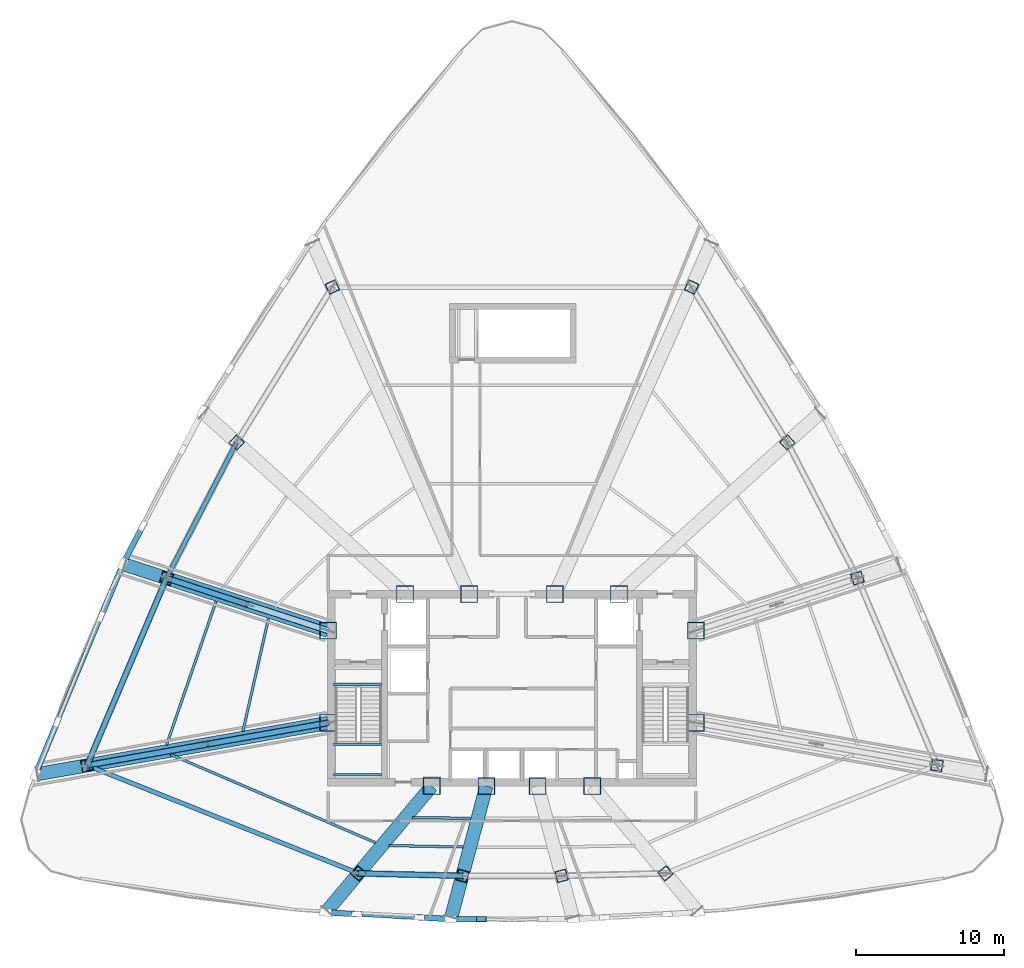
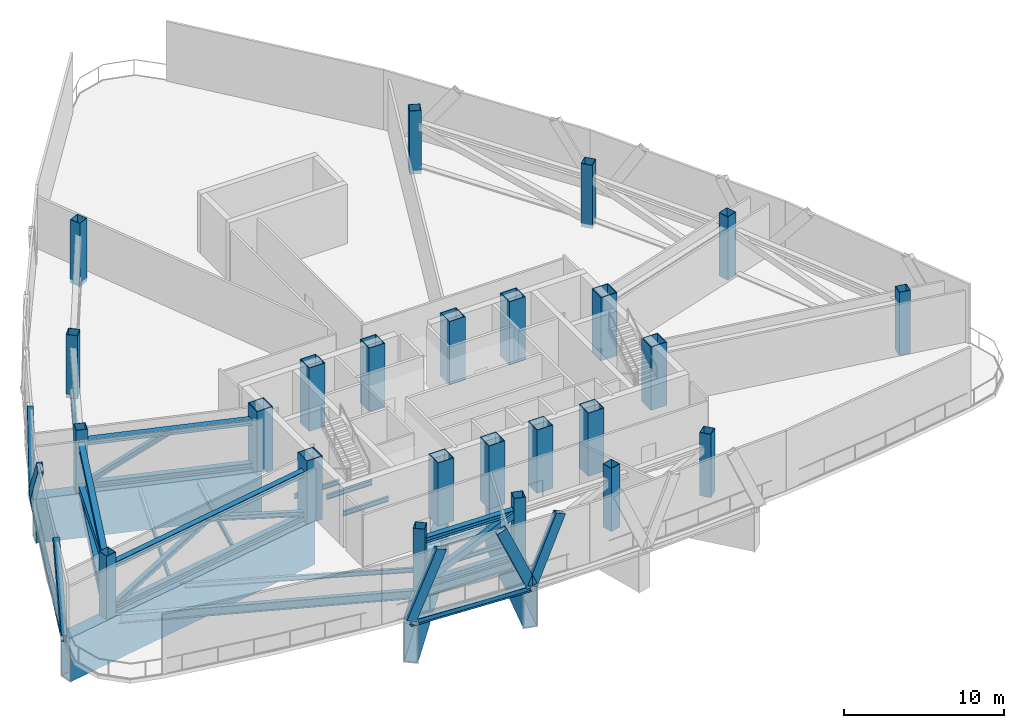
# One storey, part 1 of 13: 24 columns, 19 members, 18 beams.
"""IFC4 building model written with IfcOpenShell, lengths in metres."""

from ifc_helpers import new_model, si_unit, direction, frame, origin, origin_2d, place, context, subcontext, project, spatial, hollow_rectangle, i_section, extrude, source, transform, mapped, material, material_profile, profile_set, type_object, element, save


model = new_model("IFC4")

# Units and contexts
model_context = context("Model", 3, precision=1e-05, world=origin(), true_north=direction((0.0, 1.0)))
body_context = subcontext(model_context, "Body", "Model", "MODEL_VIEW")
ifc_project = project(units=[si_unit("LENGTHUNIT", "METRE"), si_unit("AREAUNIT", "SQUARE_METRE"), si_unit("VOLUMEUNIT", "CUBIC_METRE"), si_unit("PLANEANGLEUNIT", "RADIAN"), si_unit("MASSUNIT", "GRAM", prefix="KILO"), si_unit("THERMODYNAMICTEMPERATUREUNIT", "KELVIN"), si_unit("POWERUNIT", "WATT")], contexts=[model_context])

# Site, building, storey
site_placement = place(None, origin())
site = spatial("IfcSite", under=ifc_project, at=site_placement, CompositionType="ELEMENT")
building_placement = place(site_placement, origin())
building = spatial("IfcBuilding", under=site, at=building_placement, Name="Yunzhuo Pagoda Commons", CompositionType="ELEMENT")
storey_placement = place(building_placement, frame((0.0, 0.0, 272.760009765625)))
storey = spatial("IfcBuildingStorey", under=building, at=storey_placement, Name="L68", CompositionType="ELEMENT", Elevation=272.760009765625)

# Columns
ifc_material_1 = material(Name="Structural steel Q420B", Category="steel")
ifc_material_profile_1 = material_profile(ifc_material_1, hollow_rectangle(XDim=1.14990234375, YDim=1.14990234375, WallThickness=0.048095703125, at=origin_2d()), Name="Structural steel Q420B")
ifc_profile_set_1 = profile_set([ifc_material_profile_1], Name="Structural steel Q420B")
column_type_1 = type_object("IfcColumnType", Name="C-COR Column BOX 1150x1150x48", PredefinedType="COLUMN", material=ifc_profile_set_1)
shared_shape_1 = source(origin(), body_context, "Body", "SweptSolid", [
    extrude(hollow_rectangle(XDim=1.14990234375, YDim=1.14990234375, WallThickness=0.048095703125, at=origin_2d()), origin(), (0.0, 0.0, 1.0), 4.81982421875),
])
for number, where, z_axis, x_axis, name in (
    (1, (42.587890625, 27.25, -0.27978515625), (0.0, 0.0, 1.0), (1.0, 0.0, 0.0), "L68 core composite column F1C1"),
    (2, (46.27197265625, 27.25, -0.27978515625), (0.0, 0.0, 1.0), (1.0, 0.0, 0.0), "L68 core composite column F1C2"),
    (3, (49.728515625, 27.25, -0.27978515625), (0.0, 0.0, 1.0), (1.0, 0.0, 0.0), "L68 core composite column F1C3"),
    (4, (53.412109375, 27.25, -0.27978515625), (0.0, 0.0, 1.0), (1.0, 0.0, 0.0), "L68 core composite column F1C4"),
    (5, (60.39990234375, 31.513427734375, -0.27978515625), (0.0, 0.0, 1.0), (1.0, 0.0, 0.0), "L68 core composite column F2C1"),
    (6, (60.39990234375, 37.72900390625, -0.27978515625), (0.0, 0.0, 1.0), (1.0, 0.0, 0.0), "L68 core composite column F2C2"),
    (7, (55.218994140625, 40.199951171875, -0.27978515625), (0.0, 0.0, 1.0), (1.0, 0.0, 0.0), "L68 core composite column F2C3"),
    (8, (50.89404296875, 40.199951171875, -0.27978515625), (0.0, 0.0, 1.0), (1.0, 0.0, 0.0), "L68 core composite column F2C4"),
    (9, (45.10595703125, 40.199951171875, -0.27978515625), (0.0, 0.0, 1.0), (1.0, 0.0, 0.0), "L68 core composite column F3C1"),
    (10, (40.781005859375, 40.199951171875, -0.27978515625), (0.0, 0.0, 1.0), (1.0, 0.0, 0.0), "L68 core composite column F3C2"),
    (11, (35.60009765625, 37.72900390625, -0.27978515625), (0.0, 0.0, 1.0), (1.0, 0.0, 0.0), "L68 core composite column F3C3"),
    (12, (35.60009765625, 31.513427734375, -0.27978515625), (0.0, 0.0, 1.0), (1.0, 0.0, 0.0), "L68 core composite column F3C4"),
):
    element("IfcColumn", number, at=place(storey_placement, frame(where, z_axis=z_axis, x_axis=x_axis)), inside=storey, type_object=column_type_1, Name=name, PredefinedType="COLUMN", context=body_context, shape_type="MappedRepresentation", body=[
        mapped(shared_shape_1, transform((0.0, 0.0, 0.0), scale=1.0)),
    ])
ifc_material_2 = material(Name="Structural steel Q355B", Category="steel")
ifc_material_profile_2 = material_profile(ifc_material_2, hollow_rectangle(XDim=0.75, YDim=0.75, WallThickness=0.028076171875, at=origin_2d()), Name="Structural steel Q355B")
ifc_profile_set_2 = profile_set([ifc_material_profile_2], Name="Structural steel Q355B")
column_type_2 = type_object("IfcColumnType", Name="C-Z6 Column BOX 750x750x28", PredefinedType="COLUMN", material=ifc_profile_set_2)
shared_shape_2 = source(origin(), body_context, "Body", "SweptSolid", [
    extrude(hollow_rectangle(XDim=0.75, YDim=0.75, WallThickness=0.028076171875, at=origin_2d()), origin(), (0.0, 0.0, 1.0), 4.81982421875),
])
for number, where, z_axis, x_axis, name in (
    (13, (37.64697265625, 21.361572265625, -0.27978515625), (0.0, 0.0, 1.0), (0.766044443119, -0.642787609687, 0.0), "L68 tower column F1C1"),
    (14, (44.6494140625, 21.195556640625, -0.27978515625), (0.0, 0.0, 1.0), (0.965925826289, -0.258819045103, 0.0), "L68 tower column F1C2"),
    (15, (51.3505859375, 21.195556640625, -0.27978515625), (0.0, 0.0, 1.0), (0.965925826289, 0.258819045103, 0.0), "L68 tower column F1C3"),
    (16, (58.353515625, 21.361572265625, -0.27978515625), (0.0, 0.0, 1.0), (0.766044443119, 0.642787609687, 0.0), "L68 tower column F1C4"),
    (17, (76.66162109375, 28.646240234375, -0.27978515625), (0.0, 0.0, 1.0), (0.173648177667, 0.984807753012, 0.0), "L68 tower column F2C1"),
    (18, (71.302490234375, 41.271484375, -0.27978515625), (0.0, 0.0, 1.0), (-0.309016994375, 0.951056516295, 0.0), "L68 tower column F2C2"),
    (19, (66.5732421875, 50.423583984375, -0.27978515625), (0.0, 0.0, 1.0), (-0.669130606359, 0.743144825477, 0.0), "L68 tower column F2C3"),
    (20, (60.1142578125, 60.9091796875, -0.27978515625), (0.0, 0.0, 1.0), (-0.913545457643, 0.406736643076, 0.0), "L68 tower column F2C4"),
    (21, (35.8857421875, 60.9091796875, -0.27978515625), (0.0, 0.0, 1.0), (-0.913545457643, -0.406736643076, 0.0), "L68 tower column F3C1"),
    (22, (29.4267578125, 50.423583984375, -0.27978515625), (0.0, 0.0, 1.0), (-0.669130606359, -0.743144825477, 0.0), "L68 tower column F3C2"),
    (23, (24.697509765625, 41.271484375, -0.27978515625), (0.0, 0.0, 1.0), (-0.309016994375, -0.951056516295, 0.0), "L68 tower column F3C3"),
    (24, (19.33837890625, 28.646240234375, -0.27978515625), (0.0, 0.0, 1.0), (0.173648177667, -0.984807753012, 0.0), "L68 tower column F3C4"),
):
    element("IfcColumn", number, at=place(storey_placement, frame(where, z_axis=z_axis, x_axis=x_axis)), inside=storey, type_object=column_type_2, Name=name, PredefinedType="COLUMN", context=body_context, shape_type="MappedRepresentation", body=[
        mapped(shared_shape_2, transform((0.0, 0.0, 0.0), scale=1.0)),
    ])

# Beams
ifc_material_profile_3 = material_profile(ifc_material_2, i_section(OverallWidth=0.175048828125, OverallDepth=0.35009765625, WebThickness=0.007080078125, FlangeThickness=0.010986328125, at=origin_2d()), Name="Structural steel Q355B")
ifc_profile_set_3 = profile_set([ifc_material_profile_3], Name="Structural steel Q355B")
beam_type_1 = type_object("IfcBeamType", Name="B-JS2 Joist HN 350x175x7x11", PredefinedType="JOIST", material=ifc_profile_set_3)
shared_shape_3 = source(origin(), body_context, "Body", "SweptSolid", [
    extrude(i_section(OverallWidth=0.175048828125, OverallDepth=0.35009765625, WebThickness=0.007080078125, FlangeThickness=0.010986328125, at=origin_2d()), origin(), (0.0, 0.0, 1.0), 3.25),
])
for number, where, z_axis, x_axis, name in (
    (25, (35.949951171875, 28.0, 2.02490234375), (1.0, 0.0, 0.0), (0.0, 1.0, 0.0), "L68 ST1 landing support beam 74A"),
    (26, (35.949951171875, 30.06005859375, 2.02490234375), (1.0, 0.0, 0.0), (0.0, 1.0, 0.0), "L68 ST1 landing support beam 74B"),
    (27, (35.949951171875, 34.10009765625, -0.375), (1.0, 0.0, 0.0), (0.0, 1.0, 0.0), "L68 ST1 landing support beam 172A"),
):
    element("IfcBeam", number, at=place(storey_placement, frame(where, z_axis=z_axis, x_axis=x_axis)), inside=storey, type_object=beam_type_1, Name=name, PredefinedType="JOIST", context=body_context, shape_type="MappedRepresentation", body=[
        mapped(shared_shape_3, transform((0.0, 0.0, 0.0), scale=1.0)),
    ])
ifc_material_profile_4 = material_profile(ifc_material_1, hollow_rectangle(XDim=0.89990234375, YDim=3.35009765625, WallThickness=0.048095703125, at=origin_2d()), Name="Structural steel Q420B")
ifc_profile_set_4 = profile_set([ifc_material_profile_4], Name="Structural steel Q420B")
beam_type_2 = type_object("IfcBeamType", Name="BTR-2 Beam BOX 3350x900x48", PredefinedType="BEAM", material=ifc_profile_set_4)
shared_shape_4 = source(origin(), body_context, "Body", "SweptSolid", [
    extrude(hollow_rectangle(XDim=0.89990234375, YDim=3.35009765625, WallThickness=0.048095703125, at=origin_2d()), origin(), (0.0, 0.0, 1.0), 10.978515625),
])
beam_1_placement = place(storey_placement, frame((35.531005859375, 18.840087890625, -1.955078125), z_axis=(0.642794591419, 0.766038584695, 0.0), x_axis=(-0.766038584695, 0.642794591419, 0.0)))
element("IfcBeam", 28, at=beam_1_placement, inside=storey, type_object=beam_type_2, Name="BTR-2 L68 collinear transfer girder F1C1", PredefinedType="BEAM", context=body_context, shape_type="MappedRepresentation", body=[
    mapped(shared_shape_4, transform((0.0, 0.0, 0.0), scale=1.0)),
])
shared_shape_5 = source(origin(), body_context, "Body", "SweptSolid", [
    extrude(hollow_rectangle(XDim=0.89990234375, YDim=3.35009765625, WallThickness=0.048095703125, at=origin_2d()), origin(), (0.0, 0.0, 1.0), 9.136474609375),
])
beam_2_placement = place(storey_placement, frame((43.906982421875, 18.4248046875, -1.955078125), z_axis=(0.258848279134, 0.96591799258, 0.0), x_axis=(-0.96591799258, 0.258848279134, 0.0)))
element("IfcBeam", 29, at=beam_2_placement, inside=storey, type_object=beam_type_2, Name="BTR-2 L68 collinear transfer girder F1C2", PredefinedType="BEAM", context=body_context, shape_type="MappedRepresentation", body=[
    mapped(shared_shape_5, transform((0.0, 0.0, 0.0), scale=1.0)),
])
shared_shape_6 = source(origin(), body_context, "Body", "SweptSolid", [
    extrude(hollow_rectangle(XDim=0.89990234375, YDim=3.35009765625, WallThickness=0.048095703125, at=origin_2d()), origin(), (0.0, 0.0, 1.0), 19.89990234375),
])
beam_3_placement = place(storey_placement, frame((16.00244140625, 28.058349609375, -1.955078125), z_axis=(0.984812199238, 0.173622959981, 0.0), x_axis=(-0.173622959981, 0.984812199238, 0.0)))
element("IfcBeam", 30, at=beam_3_placement, inside=storey, type_object=beam_type_2, Name="BTR-2 L68 collinear transfer girder F3C4", PredefinedType="BEAM", context=body_context, shape_type="MappedRepresentation", body=[
    mapped(shared_shape_6, transform((0.0, 0.0, 0.0), scale=1.0)),
])
shared_shape_7 = source(origin(), body_context, "Body", "SweptSolid", [
    extrude(hollow_rectangle(XDim=0.89990234375, YDim=3.35009765625, WallThickness=0.048095703125, at=origin_2d()), origin(), (0.0, 0.0, 1.0), 14.406005859375),
])
beam_4_placement = place(storey_placement, frame((21.899169921875, 42.1806640625, -1.955078125), z_axis=(0.951057355196, -0.309014412492, 0.0), x_axis=(0.309014412492, 0.951057355196, 0.0)))
element("IfcBeam", 31, at=beam_4_placement, inside=storey, type_object=beam_type_2, Name="BTR-2 L68 collinear transfer girder F3C3", PredefinedType="BEAM", context=body_context, shape_type="MappedRepresentation", body=[
    mapped(shared_shape_7, transform((0.0, 0.0, 0.0), scale=1.0)),
])
ifc_material_profile_5 = material_profile(ifc_material_2, i_section(OverallWidth=0.300048828125, OverallDepth=0.43994140625, WebThickness=0.010986328125, FlangeThickness=0.01806640625, at=origin_2d()), Name="Structural steel Q355B")
ifc_profile_set_5 = profile_set([ifc_material_profile_5], Name="Structural steel Q355B")
beam_type_3 = type_object("IfcBeamType", Name="B-SP2 Beam HM 440x300x11x18", PredefinedType="BEAM", material=ifc_profile_set_5)
shared_shape_8 = source(origin(), body_context, "Body", "SweptSolid", [
    extrude(i_section(OverallWidth=0.300048828125, OverallDepth=0.43994140625, WebThickness=0.010986328125, FlangeThickness=0.01806640625, at=origin_2d()), origin(), (0.0, 0.0, 1.0), 8.447021484375),
])
beam_5_placement = place(storey_placement, frame((35.431640625, 18.72119140625, -0.5), z_axis=(0.99860638853, -0.05277575947, 0.0), x_axis=(0.05277575947, 0.99860638853, 0.0)))
element("IfcBeam", 32, at=beam_5_placement, inside=storey, type_object=beam_type_3, Name="L68 facade edge spandrel beam F1.1", PredefinedType="BEAM", context=body_context, shape_type="MappedRepresentation", body=[
    mapped(shared_shape_8, transform((0.0, 0.0, 0.0), scale=1.0)),
])
shared_shape_9 = source(origin(), body_context, "Body", "SweptSolid", [
    extrude(i_section(OverallWidth=0.300048828125, OverallDepth=0.43994140625, WebThickness=0.010986328125, FlangeThickness=0.01806640625, at=origin_2d()), origin(), (0.0, 0.0, 1.0), 15.375244140625),
])
beam_6_placement = place(storey_placement, frame((21.751708984375, 42.228515625, -0.5), z_axis=(-0.383838408303, -0.923400279571, 0.0), x_axis=(0.923400279571, -0.383838408303, 0.0)))
element("IfcBeam", 33, at=beam_6_placement, inside=storey, type_object=beam_type_3, Name="L68 facade edge spandrel beam F3.3", PredefinedType="BEAM", context=body_context, shape_type="MappedRepresentation", body=[
    mapped(shared_shape_9, transform((0.0, 0.0, 0.0), scale=1.0)),
])
ifc_material_profile_6 = material_profile(ifc_material_2, i_section(OverallWidth=0.300048828125, OverallDepth=0.64990234375, WebThickness=0.012939453125, FlangeThickness=0.02197265625, at=origin_2d()), Name="Structural steel Q355B")
ifc_profile_set_6 = profile_set([ifc_material_profile_6], Name="Structural steel Q355B")
beam_type_4 = type_object("IfcBeamType", Name="B-RG2 Beam HN 650x300x13x22", PredefinedType="BEAM", material=ifc_profile_set_6)
shared_shape_10 = source(origin(), body_context, "Body", "SweptSolid", [
    extrude(i_section(OverallWidth=0.300048828125, OverallDepth=0.64990234375, WebThickness=0.012939453125, FlangeThickness=0.02197265625, at=origin_2d()), origin(), (0.0, 0.0, 1.0), 7.00439453125),
])
beam_7_placement = place(storey_placement, frame((37.64697265625, 21.361572265625, -0.60498046875), z_axis=(0.999719077883, -0.023701588905, 0.0), x_axis=(0.023701588905, 0.999719077883, 0.0)))
element("IfcBeam", 34, at=beam_7_placement, inside=storey, type_object=beam_type_4, Name="L68 column-ring beam 1", PredefinedType="BEAM", context=body_context, shape_type="MappedRepresentation", body=[
    mapped(shared_shape_10, transform((0.0, 0.0, 0.0), scale=1.0)),
])
shared_shape_11 = source(origin(), body_context, "Body", "SweptSolid", [
    extrude(i_section(OverallWidth=0.175048828125, OverallDepth=0.35009765625, WebThickness=0.007080078125, FlangeThickness=0.010986328125, at=origin_2d()), origin(), (0.0, 0.0, 1.0), 3.925048828125),
])
beam_8_placement = place(storey_placement, frame((41.285888671875, 25.124267578125, -0.455078125), z_axis=(0.999924924618, -0.012253372117, 0.0), x_axis=(0.012253372117, 0.999924924618, 0.0)))
element("IfcBeam", 35, at=beam_8_placement, inside=storey, type_object=beam_type_1, Name="L68 composite ring joist 1.1", PredefinedType="JOIST", context=body_context, shape_type="MappedRepresentation", body=[
    mapped(shared_shape_11, transform((0.0, 0.0, 0.0), scale=1.0)),
])
shared_shape_12 = source(origin(), body_context, "Body", "SweptSolid", [
    extrude(i_section(OverallWidth=0.175048828125, OverallDepth=0.35009765625, WebThickness=0.007080078125, FlangeThickness=0.010986328125, at=origin_2d()), origin(), (0.0, 0.0, 1.0), 4.98779296875),
])
beam_9_placement = place(storey_placement, frame((39.704833984375, 23.23681640625, -0.455078125), z_axis=(0.999819636235, -0.018991971941, 0.0), x_axis=(0.018991971941, 0.999819636235, 0.0)))
element("IfcBeam", 36, at=beam_9_placement, inside=storey, type_object=beam_type_1, Name="L68 composite ring joist 2.1", PredefinedType="JOIST", context=body_context, shape_type="MappedRepresentation", body=[
    mapped(shared_shape_12, transform((0.0, 0.0, 0.0), scale=1.0)),
])
shared_shape_13 = source(origin(), body_context, "Body", "SweptSolid", [
    extrude(i_section(OverallWidth=0.175048828125, OverallDepth=0.35009765625, WebThickness=0.007080078125, FlangeThickness=0.010986328125, at=origin_2d()), origin(), (0.0, 0.0, 1.0), 15.033203125),
])
beam_10_placement = place(storey_placement, frame((24.980224609375, 29.375244140625, -0.455078125), z_axis=(0.918601516646, -0.395185087795, 0.0), x_axis=(0.395185087795, 0.918601516646, 0.0)))
element("IfcBeam", 37, at=beam_10_placement, inside=storey, type_object=beam_type_1, Name="L68 composite ring joist 2.12", PredefinedType="JOIST", context=body_context, shape_type="MappedRepresentation", body=[
    mapped(shared_shape_13, transform((0.0, 0.0, 0.0), scale=1.0)),
])
shared_shape_14 = source(origin(), body_context, "Body", "SweptSolid", [
    extrude(i_section(OverallWidth=0.300048828125, OverallDepth=0.64990234375, WebThickness=0.012939453125, FlangeThickness=0.02197265625, at=origin_2d()), origin(), (0.0, 0.0, 1.0), 13.715576171875),
])
beam_11_placement = place(storey_placement, frame((24.697509765625, 41.271484375, -0.60498046875), z_axis=(-0.390733146992, -0.920503996646, 0.0), x_axis=(0.920503996646, -0.390733146992, 0.0)))
element("IfcBeam", 38, at=beam_11_placement, inside=storey, type_object=beam_type_4, Name="L68 column-ring beam 11", PredefinedType="BEAM", context=body_context, shape_type="MappedRepresentation", body=[
    mapped(shared_shape_14, transform((0.0, 0.0, 0.0), scale=1.0)),
])
shared_shape_15 = source(origin(), body_context, "Body", "SweptSolid", [
    extrude(i_section(OverallWidth=0.175048828125, OverallDepth=0.35009765625, WebThickness=0.007080078125, FlangeThickness=0.010986328125, at=origin_2d()), origin(), (0.0, 0.0, 1.0), 7.784912109375),
])
beam_12_placement = place(storey_placement, frame((31.56982421875, 38.539306640625, -0.455078125), z_axis=(-0.220780623528, -0.975323493142, 0.0), x_axis=(0.975323493142, -0.220780623528, 0.0)))
element("IfcBeam", 39, at=beam_12_placement, inside=storey, type_object=beam_type_1, Name="L68 composite ring joist 1.11", PredefinedType="JOIST", context=body_context, shape_type="MappedRepresentation", body=[
    mapped(shared_shape_15, transform((0.0, 0.0, 0.0), scale=1.0)),
])
shared_shape_16 = source(origin(), body_context, "Body", "SweptSolid", [
    extrude(i_section(OverallWidth=0.175048828125, OverallDepth=0.35009765625, WebThickness=0.007080078125, FlangeThickness=0.010986328125, at=origin_2d()), origin(), (0.0, 0.0, 1.0), 10.230712890625),
])
beam_13_placement = place(storey_placement, frame((28.031005859375, 39.68701171875, -0.455078125), z_axis=(-0.325833295841, -0.945427238512, 0.0), x_axis=(0.945427238512, -0.325833295841, 0.0)))
element("IfcBeam", 40, at=beam_13_placement, inside=storey, type_object=beam_type_1, Name="L68 composite ring joist 2.11", PredefinedType="JOIST", context=body_context, shape_type="MappedRepresentation", body=[
    mapped(shared_shape_16, transform((0.0, 0.0, 0.0), scale=1.0)),
])
shared_shape_17 = source(origin(), body_context, "Body", "SweptSolid", [
    extrude(i_section(OverallWidth=0.300048828125, OverallDepth=0.64990234375, WebThickness=0.012939453125, FlangeThickness=0.02197265625, at=origin_2d()), origin(), (0.0, 0.0, 1.0), 10.3017578125),
])
beam_14_placement = place(storey_placement, frame((29.4267578125, 50.423583984375, -0.60498046875), z_axis=(-0.459070867827, -0.888399650108, 0.0), x_axis=(0.888399650108, -0.459070867827, 0.0)))
element("IfcBeam", 41, at=beam_14_placement, inside=storey, type_object=beam_type_4, Name="L68 column-ring beam 10", PredefinedType="BEAM", context=body_context, shape_type="MappedRepresentation", body=[
    mapped(shared_shape_17, transform((0.0, 0.0, 0.0), scale=1.0)),
])
shared_shape_18 = source(origin(), body_context, "Body", "SweptSolid", [
    extrude(i_section(OverallWidth=0.300048828125, OverallDepth=0.64990234375, WebThickness=0.012939453125, FlangeThickness=0.02197265625, at=origin_2d()), origin(), (0.0, 0.0, 1.0), 19.70458984375),
])
beam_15_placement = place(storey_placement, frame((19.33837890625, 28.646240234375, -0.60498046875), z_axis=(0.929153602905, -0.369693903396, 0.0), x_axis=(0.369693903396, 0.929153602905, 0.0)))
element("IfcBeam", 42, at=beam_15_placement, inside=storey, type_object=beam_type_4, Name="L68 column-ring beam 12", PredefinedType="BEAM", context=body_context, shape_type="MappedRepresentation", body=[
    mapped(shared_shape_18, transform((0.0, 0.0, 0.0), scale=1.0)),
])

# Members
ifc_material_profile_7 = material_profile(ifc_material_1, i_section(OverallWidth=0.406982421875, OverallDepth=0.427978515625, WebThickness=0.02001953125, FlangeThickness=0.034912109375, at=origin_2d()), Name="Structural steel Q420B")
ifc_profile_set_7 = profile_set([ifc_material_profile_7], Name="Structural steel Q420B")
member_type_1 = type_object("IfcMemberType", Name="M-OTC Chord HW 428x407x20x35", PredefinedType="CHORD", material=ifc_profile_set_7)
shared_shape_19 = source(origin(), body_context, "Body", "SweptSolid", [
    extrude(i_section(OverallWidth=0.406982421875, OverallDepth=0.427978515625, WebThickness=0.02001953125, FlangeThickness=0.034912109375, at=origin_2d()), origin(), (0.0, 0.0, 1.0), 16.512451171875),
])
for number, where, z_axis, x_axis, name in (
    (43, (35.60009765625, 31.513427734375, 0.070068359375), (-0.984809744149, -0.173636884988, 0.0), (0.173636884988, -0.984809744149, 0.0), "L68 outrigger bottom chord F3C4"),
    (44, (35.60009765625, 31.513427734375, 3.389892578125), (-0.984809744149, -0.173636884988, 0.0), (0.173636884988, -0.984809744149, 0.0), "L68 outrigger top chord F3C4"),
):
    element("IfcMember", number, at=place(storey_placement, frame(where, z_axis=z_axis, x_axis=x_axis)), inside=storey, type_object=member_type_1, Name=name, PredefinedType="CHORD", context=body_context, shape_type="MappedRepresentation", body=[
        mapped(shared_shape_19, transform((0.0, 0.0, 0.0), scale=1.0)),
    ])
ifc_material_profile_8 = material_profile(ifc_material_1, i_section(OverallWidth=0.35009765625, OverallDepth=0.35009765625, WebThickness=0.011962890625, FlangeThickness=0.01904296875, at=origin_2d()), Name="Structural steel Q420B")
ifc_profile_set_8 = profile_set([ifc_material_profile_8], Name="Structural steel Q420B")
member_type_2 = type_object("IfcMemberType", Name="M-OTB Brace HW 350x350x12x19", PredefinedType="BRACE", material=ifc_profile_set_8)
shared_shape_20 = source(origin(), body_context, "Body", "SweptSolid", [
    extrude(i_section(OverallWidth=0.35009765625, OverallDepth=0.35009765625, WebThickness=0.011962890625, FlangeThickness=0.01904296875, at=origin_2d()), origin(), (0.0, 0.0, 1.0), 8.89892578125),
])
member_1_placement = place(storey_placement, frame((35.60009765625, 31.513427734375, 0.070068359375), z_axis=(-0.913715181546, -0.16109699883, 0.37305807052), x_axis=(0.17363182863, -0.984810635649, 0.0)))
element("IfcMember", 45, at=member_1_placement, inside=storey, type_object=member_type_2, Name="L68 outrigger diagonal brace F3C4A", PredefinedType="BRACE", context=body_context, shape_type="MappedRepresentation", body=[
    mapped(shared_shape_20, transform((0.0, 0.0, 0.0), scale=1.0)),
])
shared_shape_21 = source(origin(), body_context, "Body", "SweptSolid", [
    extrude(i_section(OverallWidth=0.35009765625, OverallDepth=0.35009765625, WebThickness=0.011962890625, FlangeThickness=0.01904296875, at=origin_2d()), origin(), (0.0, 0.0, 1.0), 8.8984375),
])
member_2_placement = place(storey_placement, frame((27.468994140625, 30.079833984375, 3.389892578125), z_axis=(-0.913706120554, -0.161105075816, -0.373076774684), x_axis=(0.173641941636, -0.984808852572, 0.0)))
element("IfcMember", 46, at=member_2_placement, inside=storey, type_object=member_type_2, Name="L68 outrigger diagonal brace F3C4B", PredefinedType="BRACE", context=body_context, shape_type="MappedRepresentation", body=[
    mapped(shared_shape_21, transform((0.0, 0.0, 0.0), scale=1.0)),
])
shared_shape_22 = source(origin(), body_context, "Body", "SweptSolid", [
    extrude(i_section(OverallWidth=0.406982421875, OverallDepth=0.427978515625, WebThickness=0.02001953125, FlangeThickness=0.034912109375, at=origin_2d()), origin(), (0.0, 0.0, 1.0), 11.463623046875),
])
for number, where, z_axis, x_axis, name in (
    (47, (35.60009765625, 37.72900390625, 0.070068359375), (-0.951056133711, 0.309018171846, 0.0), (-0.309018171846, -0.951056133711, 0.0), "L68 outrigger bottom chord F3C3"),
    (48, (35.60009765625, 37.72900390625, 3.389892578125), (-0.951056133711, 0.309018171846, 0.0), (-0.309018171846, -0.951056133711, 0.0), "L68 outrigger top chord F3C3"),
):
    element("IfcMember", number, at=place(storey_placement, frame(where, z_axis=z_axis, x_axis=x_axis)), inside=storey, type_object=member_type_1, Name=name, PredefinedType="CHORD", context=body_context, shape_type="MappedRepresentation", body=[
        mapped(shared_shape_22, transform((0.0, 0.0, 0.0), scale=1.0)),
    ])
shared_shape_23 = source(origin(), body_context, "Body", "SweptSolid", [
    extrude(i_section(OverallWidth=0.35009765625, OverallDepth=0.35009765625, WebThickness=0.011962890625, FlangeThickness=0.01904296875, at=origin_2d()), origin(), (0.0, 0.0, 1.0), 6.623779296875),
])
member_3_placement = place(storey_placement, frame((30.148681640625, 39.500244140625, 3.389892578125), z_axis=(-0.822976154428, 0.26740827662, -0.50120161895), x_axis=(-0.309024430993, -0.951054099959, 0.0)))
element("IfcMember", 49, at=member_3_placement, inside=storey, type_object=member_type_2, Name="L68 outrigger diagonal brace F3C3B", PredefinedType="BRACE", context=body_context, shape_type="MappedRepresentation", body=[
    mapped(shared_shape_23, transform((0.0, 0.0, 0.0), scale=1.0)),
])
ifc_material_profile_9 = material_profile(ifc_material_1, i_section(OverallWidth=0.39990234375, OverallDepth=0.39990234375, WebThickness=0.012939453125, FlangeThickness=0.02099609375, at=origin_2d()), Name="Structural steel Q420B")
ifc_profile_set_9 = profile_set([ifc_material_profile_9], Name="Structural steel Q420B")
member_type_3 = type_object("IfcMemberType", Name="M-BTC Chord HW 400x400x13x21", PredefinedType="CHORD", material=ifc_profile_set_9)
shared_shape_24 = source(origin(), body_context, "Body", "SweptSolid", [
    extrude(i_section(OverallWidth=0.39990234375, OverallDepth=0.39990234375, WebThickness=0.012939453125, FlangeThickness=0.02099609375, at=origin_2d()), origin(), (0.0, 0.0, 1.0), 7.00439453125),
])
for number, where, z_axis, x_axis, name in (
    (50, (37.64697265625, 21.361572265625, 0.070068359375), (0.999719077883, -0.023701588905, 0.0), (0.023701588905, 0.999719077883, 0.0), "L68 belt truss bottom chord 1"),
    (51, (37.64697265625, 21.361572265625, 3.389892578125), (0.999719077883, -0.023701588905, 0.0), (0.023701588905, 0.999719077883, 0.0), "L68 belt truss top chord 1"),
):
    element("IfcMember", number, at=place(storey_placement, frame(where, z_axis=z_axis, x_axis=x_axis)), inside=storey, type_object=member_type_3, Name=name, PredefinedType="CHORD", context=body_context, shape_type="MappedRepresentation", body=[
        mapped(shared_shape_24, transform((0.0, 0.0, 0.0), scale=1.0)),
    ])
ifc_material_profile_10 = material_profile(ifc_material_1, hollow_rectangle(XDim=0.39990234375, YDim=0.5, WallThickness=0.02392578125, at=origin_2d()), Name="Structural steel Q420B")
ifc_profile_set_10 = profile_set([ifc_material_profile_10], Name="Structural steel Q420B")
member_type_4 = type_object("IfcMemberType", Name="M-BTB Brace RHS 500x400x24", PredefinedType="BRACE", material=ifc_profile_set_10)
shared_shape_25 = source(origin(), body_context, "Body", "SweptSolid", [
    extrude(hollow_rectangle(XDim=0.39990234375, YDim=0.5, WallThickness=0.02392578125, at=origin_2d()), origin(), (0.0, 0.0, 1.0), 7.751220703125),
])
member_4_placement = place(storey_placement, frame((37.64697265625, 21.361572265625, 0.070068359375), z_axis=(0.90338682457, -0.021417719849, 0.428291403685), x_axis=(0.023701588905, 0.999719077883, 0.0)))
element("IfcMember", 52, at=member_4_placement, inside=storey, type_object=member_type_4, Name="L68 belt truss diagonal brace 1A", PredefinedType="BRACE", context=body_context, shape_type="MappedRepresentation", body=[
    mapped(shared_shape_25, transform((0.0, 0.0, 0.0), scale=1.0)),
])
shared_shape_26 = source(origin(), body_context, "Body", "SweptSolid", [
    extrude(i_section(OverallWidth=0.39990234375, OverallDepth=0.39990234375, WebThickness=0.012939453125, FlangeThickness=0.02099609375, at=origin_2d()), origin(), (0.0, 0.0, 1.0), 13.715576171875),
])
for number, where, z_axis, x_axis, name in (
    (53, (24.697509765625, 41.271484375, 0.070068359375), (-0.390733146992, -0.920503996646, 0.0), (0.920503996646, -0.390733146992, 0.0), "L68 belt truss bottom chord 11"),
    (54, (24.697509765625, 41.271484375, 3.389892578125), (-0.390733146992, -0.920503996646, 0.0), (0.920503996646, -0.390733146992, 0.0), "L68 belt truss top chord 11"),
):
    element("IfcMember", number, at=place(storey_placement, frame(where, z_axis=z_axis, x_axis=x_axis)), inside=storey, type_object=member_type_3, Name=name, PredefinedType="CHORD", context=body_context, shape_type="MappedRepresentation", body=[
        mapped(shared_shape_26, transform((0.0, 0.0, 0.0), scale=1.0)),
    ])
shared_shape_27 = source(origin(), body_context, "Body", "SweptSolid", [
    extrude(hollow_rectangle(XDim=0.39990234375, YDim=0.5, WallThickness=0.02392578125, at=origin_2d()), origin(), (0.0, 0.0, 1.0), 14.111572265625),
])
member_5_placement = place(storey_placement, frame((24.697509765625, 41.271484375, 0.070068359375), z_axis=(-0.379766767135, -0.894668982226, 0.235254361965), x_axis=(0.920503996646, -0.390733146992, 0.0)))
element("IfcMember", 55, at=member_5_placement, inside=storey, type_object=member_type_4, Name="L68 belt truss diagonal brace 11A", PredefinedType="BRACE", context=body_context, shape_type="MappedRepresentation", body=[
    mapped(shared_shape_27, transform((0.0, 0.0, 0.0), scale=1.0)),
])
ifc_material_profile_11 = material_profile(ifc_material_2, hollow_rectangle(XDim=0.3798828125, YDim=0.719970703125, WallThickness=0.02001953125, at=origin_2d()), Name="Structural steel Q355B")
ifc_profile_set_11 = profile_set([ifc_material_profile_11], Name="Structural steel Q355B")
member_type_5 = type_object("IfcMemberType", Name="M-DL3 Brace BOX 720x380x20", PredefinedType="BRACE", material=ifc_profile_set_11)
shared_shape_28 = source(origin(), body_context, "Body", "SweptSolid", [
    extrude(hollow_rectangle(XDim=0.3798828125, YDim=0.719970703125, WallThickness=0.02001953125, at=origin_2d()), origin(), (0.0, 0.0, 1.0), 5.261962890625),
])
member_6_placement = place(storey_placement, frame((35.431640625, 18.72119140625, -0.27978515625), z_axis=(0.400723858102, -0.021203056982, 0.915953503144), x_axis=(0.052837977997, 0.998603098374, 0.0)))
element("IfcMember", 56, at=member_6_placement, inside=storey, type_object=member_type_5, Name="L68 facade diamond brace F1.1L", PredefinedType="BRACE", context=body_context, shape_type="MappedRepresentation", body=[
    mapped(shared_shape_28, transform((0.0, 0.0, 0.0), scale=1.0)),
])
shared_shape_29 = source(origin(), body_context, "Body", "SweptSolid", [
    extrude(hollow_rectangle(XDim=0.3798828125, YDim=0.719970703125, WallThickness=0.02001953125, at=origin_2d()), origin(), (0.0, 0.0, 1.0), 5.26220703125),
])
member_7_placement = place(storey_placement, frame((43.866943359375, 18.275390625, -0.27978515625), z_axis=(-0.400763196722, 0.021156288227, 0.915937373198), x_axis=(-0.052716593913, -0.998609513637, 0.0)))
element("IfcMember", 57, at=member_7_placement, inside=storey, type_object=member_type_5, Name="L68 facade diamond brace F1.1R", PredefinedType="BRACE", context=body_context, shape_type="MappedRepresentation", body=[
    mapped(shared_shape_29, transform((0.0, 0.0, 0.0), scale=1.0)),
])
shared_shape_30 = source(origin(), body_context, "Body", "SweptSolid", [
    extrude(hollow_rectangle(XDim=0.3798828125, YDim=0.719970703125, WallThickness=0.02001953125, at=origin_2d()), origin(), (0.0, 0.0, 1.0), 5.244140625),
])
member_8_placement = place(storey_placement, frame((43.866943359375, 18.275390625, -0.27978515625), z_axis=(0.394082232474, 0.0, 0.919075184111), x_axis=(0.0, 1.0, 0.0)))
element("IfcMember", 58, at=member_8_placement, inside=storey, type_object=member_type_5, Name="L68 facade diamond brace F1.2L", PredefinedType="BRACE", context=body_context, shape_type="MappedRepresentation", body=[
    mapped(shared_shape_30, transform((0.0, 0.0, 0.0), scale=1.0)),
])
shared_shape_31 = source(origin(), body_context, "Body", "SweptSolid", [
    extrude(hollow_rectangle(XDim=0.3798828125, YDim=0.719970703125, WallThickness=0.02001953125, at=origin_2d()), origin(), (0.0, 0.0, 1.0), 6.164794921875),
])
for number, where, z_axis, x_axis, name in (
    (59, (21.751708984375, 42.228515625, -0.27978515625), (-0.239353677057, -0.57573192539, 0.781820035153), (0.923381054941, -0.383884653739, 0.0), "L68 facade diamond brace F3.3L"),
    (60, (15.85009765625, 28.031005859375, -0.27978515625), (0.239273553015, 0.575769312693, 0.781817028075), (-0.923435433731, 0.38375382699, 0.0), "L68 facade diamond brace F3.3R"),
):
    element("IfcMember", number, at=place(storey_placement, frame(where, z_axis=z_axis, x_axis=x_axis)), inside=storey, type_object=member_type_5, Name=name, PredefinedType="BRACE", context=body_context, shape_type="MappedRepresentation", body=[
        mapped(shared_shape_31, transform((0.0, 0.0, 0.0), scale=1.0)),
    ])
shared_shape_32 = source(origin(), body_context, "Body", "SweptSolid", [
    extrude(hollow_rectangle(XDim=0.3798828125, YDim=0.719970703125, WallThickness=0.02001953125, at=origin_2d()), origin(), (0.0, 0.0, 1.0), 5.623779296875),
])
member_9_placement = place(storey_placement, frame((21.751708984375, 42.228515625, -0.27978515625), z_axis=(0.238504189533, 0.456735088839, 0.857034894388), x_axis=(-0.886419539705, 0.462882706125, 0.0)))
element("IfcMember", 61, at=member_9_placement, inside=storey, type_object=member_type_5, Name="L68 facade diamond brace F3.2R", PredefinedType="BRACE", context=body_context, shape_type="MappedRepresentation", body=[
    mapped(shared_shape_32, transform((0.0, 0.0, 0.0), scale=1.0)),
])

save(model, "model.ifc")
